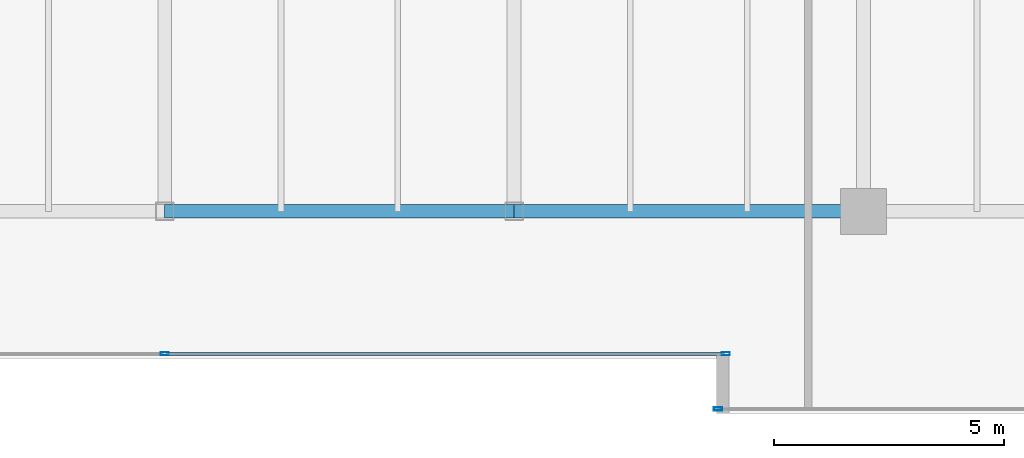
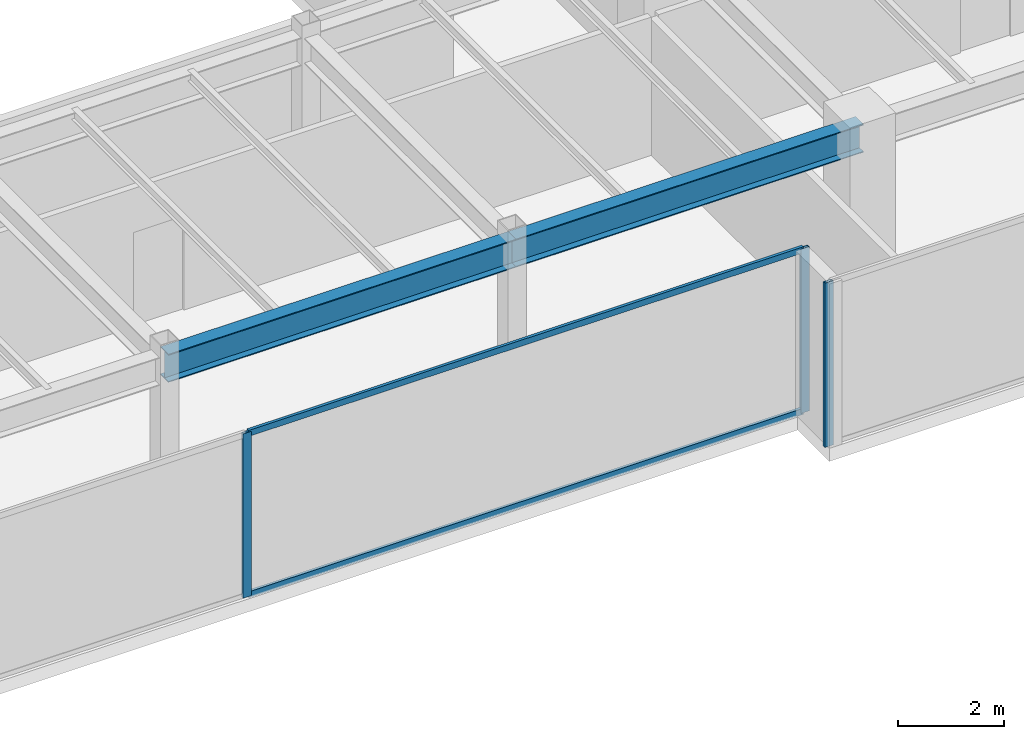
# One storey, part 11 of 33: 5 members, 2 beams, 2 elements without a shape of their own.
"""IFC4 building model written with IfcOpenShell, lengths in metres."""

from ifc_helpers import new_model, si_unit, direction, frame, origin, origin_2d, place, context, subcontext, project, spatial, hollow_rectangle, i_section, extrude, source, transform, mapped, material, layer, layer_set, material_profile, profile_set, type_object, type_shapes, element, aggregate, save


model = new_model("IFC4")

# Units and contexts
model_context = context("Model", 3, precision=1e-05, world=origin(), true_north=direction((0.0, 1.0)))
body_context = subcontext(model_context, "Body", "Model", "MODEL_VIEW")
ifc_project = project(units=[si_unit("LENGTHUNIT", "METRE"), si_unit("AREAUNIT", "SQUARE_METRE"), si_unit("VOLUMEUNIT", "CUBIC_METRE"), si_unit("PLANEANGLEUNIT", "RADIAN"), si_unit("MASSUNIT", "GRAM", prefix="KILO")], contexts=[model_context])

# Site, building, storey
site_placement = place(None, origin())
site = spatial("IfcSite", under=ifc_project, at=site_placement, CompositionType="ELEMENT")
building_placement = place(site_placement, origin())
building = spatial("IfcBuilding", under=site, at=building_placement, Name="Haelvirn Gate Laboratories", CompositionType="ELEMENT")
storey_placement = place(building_placement, frame((0.0, 0.0, 271.10009765625)))
storey = spatial("IfcBuildingStorey", under=building, at=storey_placement, Name="L65", CompositionType="ELEMENT", Elevation=271.10009765625)

# Beams
ifc_material_1 = material(Name="Steel SM355", Category="steel")
ifc_material_profile_1 = material_profile(ifc_material_1, i_section(OverallWidth=0.300048828125, OverallDepth=0.64990234375, WebThickness=0.012939453125, FlangeThickness=0.02197265625, at=origin_2d()), Name="H-650x300x13x22")
ifc_profile_set_1 = profile_set([ifc_material_profile_1], Name="Steel SM355")
beam_type = type_object("IfcBeamType", Name="BM-G-650", PredefinedType="BEAM", material=ifc_profile_set_1)
shared_shape_1 = source(origin(), body_context, "Body", "SweptSolid", [
    extrude(i_section(OverallWidth=0.300048828125, OverallDepth=0.64990234375, WebThickness=0.012939453125, FlangeThickness=0.02197265625, at=origin_2d()), origin(), (0.0, 0.0, 1.0), 7.60009765625),
])
type_shapes(beam_type, [shared_shape_1])
for number, where, z_axis, x_axis, name in (
    (1, (37.39990234375, 7.0, 3.474853515625), (1.0, 0.0, 0.0), (0.0, 1.0, 0.0), "L65 Primary Girder Y7.0 (37.4-45.0)"),
    (2, (45.0, 7.0, 3.474853515625), (1.0, 0.0, 0.0), (0.0, 1.0, 0.0), "L65 Primary Girder Y7.0 (45.0-52.6)"),
):
    element("IfcBeam", number, at=place(storey_placement, frame(where, z_axis=z_axis, x_axis=x_axis)), inside=storey, type_object=beam_type, Name=name, PredefinedType="BEAM", context=body_context, shape_type="MappedRepresentation", body=[
        mapped(shared_shape_1, transform((0.0, 0.0, 0.0), scale=1.0)),
    ])

# Curtain wall, members
ifc_material_2 = material(Name="Anodised bronze unitised aluminium & triple low-E glass", Category="aluminium")
ifc_layer = layer(ifc_material_2, 0.176025390625, Name="CW-SYS-4")
ifc_layer_set = layer_set([ifc_layer], Name="Anodised bronze unitised aluminium & triple low-E glass")
curtain_wall_type = type_object("IfcCurtainWallType", Name="CW-SYS-4", PredefinedType="NOTDEFINED", material=ifc_layer_set)
curtain_wall_1_placement = place(storey_placement, origin())
curtain_wall_1 = element("IfcCurtainWall", 3, at=curtain_wall_1_placement, inside=storey, type_object=curtain_wall_type, Name="L65 Unitised Curtain Wall CW-L65-P0-E02-1", PredefinedType="NOTDEFINED")
ifc_material_3 = material(Name="Extruded aluminium 6063-T6 (anodised bronze)", Category="aluminium")
ifc_material_profile_2 = material_profile(ifc_material_3, hollow_rectangle(XDim=0.06494140625, YDim=0.139892578125, WallThickness=0.00390625, at=origin_2d()), Name="CWT-140x65x4")
ifc_profile_set_2 = profile_set([ifc_material_profile_2], Name="Extruded aluminium 6063-T6 (anodised bronze)")
member_type_1 = type_object("IfcMemberType", Name="CWT-T140", PredefinedType="USERDEFINED", material=ifc_profile_set_2)
shared_shape_2 = source(origin(), body_context, "Body", "SweptSolid", [
    extrude(hollow_rectangle(XDim=0.06494140625, YDim=0.139892578125, WallThickness=0.00390625, at=origin_2d()), origin(), (0.0, 0.0, 1.0), 12.135009765625),
])
type_shapes(member_type_1, [shared_shape_2])
member_1_placement = place(storey_placement, frame((37.43505859375, 3.89990234375, 0.032470703125), z_axis=(1.0, 0.0, 0.0), x_axis=(0.0, 1.0, 0.0)))
member_1 = element("IfcMember", 4, at=member_1_placement, type_object=member_type_1, Name="CW4 transom 2.1", ObjectType="TRANSOM", PredefinedType="USERDEFINED", context=body_context, shape_type="MappedRepresentation", body=[
    mapped(shared_shape_2, transform((0.0, 0.0, 0.0), scale=1.0)),
])
member_2_placement = place(storey_placement, frame((37.43505859375, 3.89990234375, 3.767333984375), z_axis=(1.0, 0.0, 0.0), x_axis=(0.0, 1.0, 0.0)))
member_2 = element("IfcMember", 5, at=member_2_placement, type_object=member_type_1, Name="CW4 transom 2.2", ObjectType="TRANSOM", PredefinedType="USERDEFINED", context=body_context, shape_type="MappedRepresentation", body=[
    mapped(shared_shape_2, transform((0.0, 0.0, 0.0), scale=1.0)),
])
ifc_material_profile_3 = material_profile(ifc_material_3, hollow_rectangle(XDim=0.070068359375, YDim=0.179931640625, WallThickness=0.0048828125, at=origin_2d()), Name="CWM-180x70x5")
ifc_profile_set_3 = profile_set([ifc_material_profile_3], Name="Extruded aluminium 6063-T6 (anodised bronze)")
member_type_2 = type_object("IfcMemberType", Name="CWM-T180", PredefinedType="MULLION", material=ifc_profile_set_3)
shared_shape_3 = source(origin(), body_context, "Body", "SweptSolid", [
    extrude(hollow_rectangle(XDim=0.070068359375, YDim=0.179931640625, WallThickness=0.0048828125, at=origin_2d()), origin(), (0.0, 0.0, 1.0), 3.7998046875),
])
type_shapes(member_type_2, [shared_shape_3])
member_3_placement = place(storey_placement, frame((37.39990234375, 3.89990234375, 0.0), z_axis=(0.0, 0.0, 1.0), x_axis=(0.0, 1.0, 0.0)))
member_3 = element("IfcMember", 6, at=member_3_placement, type_object=member_type_2, Name="CW4 mullion 2", PredefinedType="MULLION", context=body_context, shape_type="MappedRepresentation", body=[
    mapped(shared_shape_3, transform((0.0, 0.0, 0.0), scale=1.0)),
])
member_4_placement = place(storey_placement, frame((49.60498046875, 3.89990234375, 0.0), z_axis=(0.0, 0.0, 1.0), x_axis=(0.0, 1.0, 0.0)))
member_4 = element("IfcMember", 7, at=member_4_placement, type_object=member_type_2, Name="CW4 mullion 3", PredefinedType="MULLION", context=body_context, shape_type="MappedRepresentation", body=[
    mapped(shared_shape_3, transform((0.0, 0.0, 0.0), scale=1.0)),
])
aggregate(curtain_wall_1, [member_3, member_4, member_1, member_2])

# Curtain wall, member
curtain_wall_2_placement = place(storey_placement, origin())
curtain_wall_2 = element("IfcCurtainWall", 8, at=curtain_wall_2_placement, inside=storey, type_object=curtain_wall_type, Name="L65 Unitised Curtain Wall CW-L65-P0-E04-1", PredefinedType="NOTDEFINED")
member_5_placement = place(storey_placement, frame((49.43505859375, 2.699951171875, 0.0), z_axis=(0.0, 0.0, 1.0), x_axis=(0.0, 1.0, 0.0)))
member_5 = element("IfcMember", 9, at=member_5_placement, type_object=member_type_2, Name="CW4 mullion 1", PredefinedType="MULLION", context=body_context, shape_type="MappedRepresentation", body=[
    mapped(shared_shape_3, transform((0.0, 0.0, 0.0), scale=1.0)),
])
aggregate(curtain_wall_2, [member_5])

save(model, "model.ifc")
